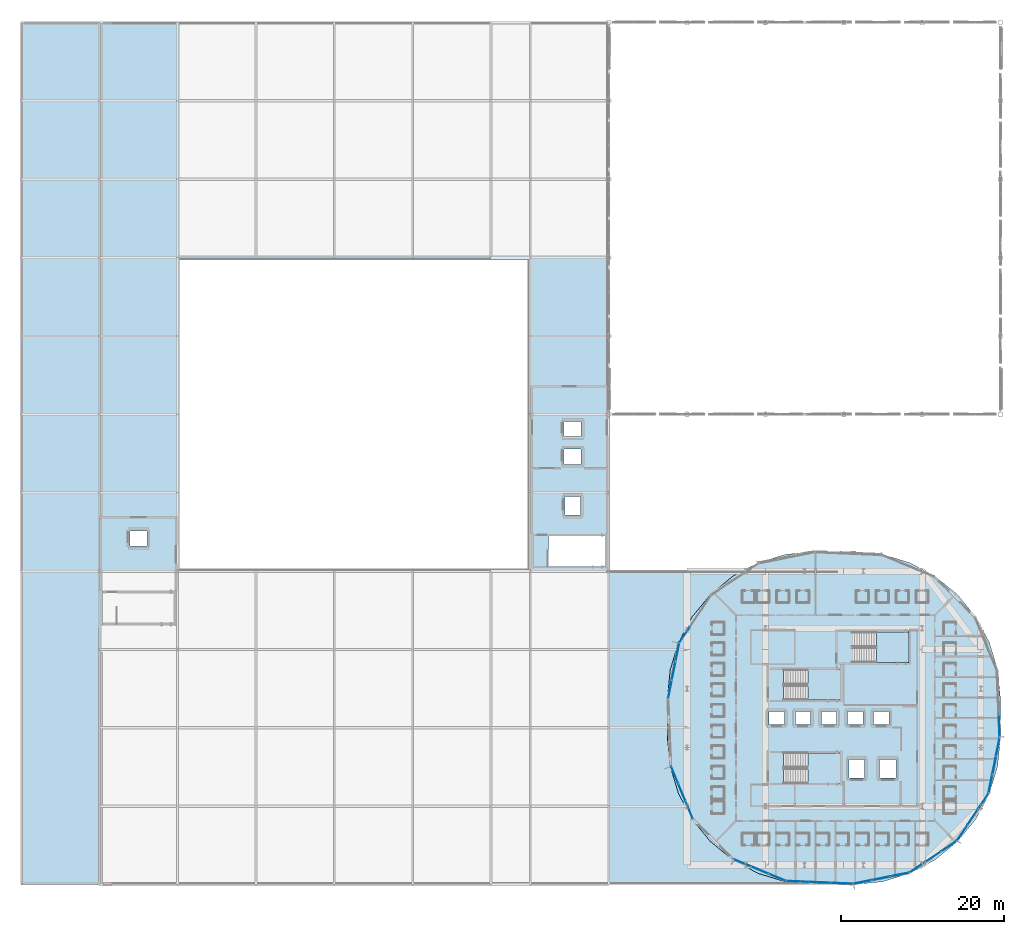
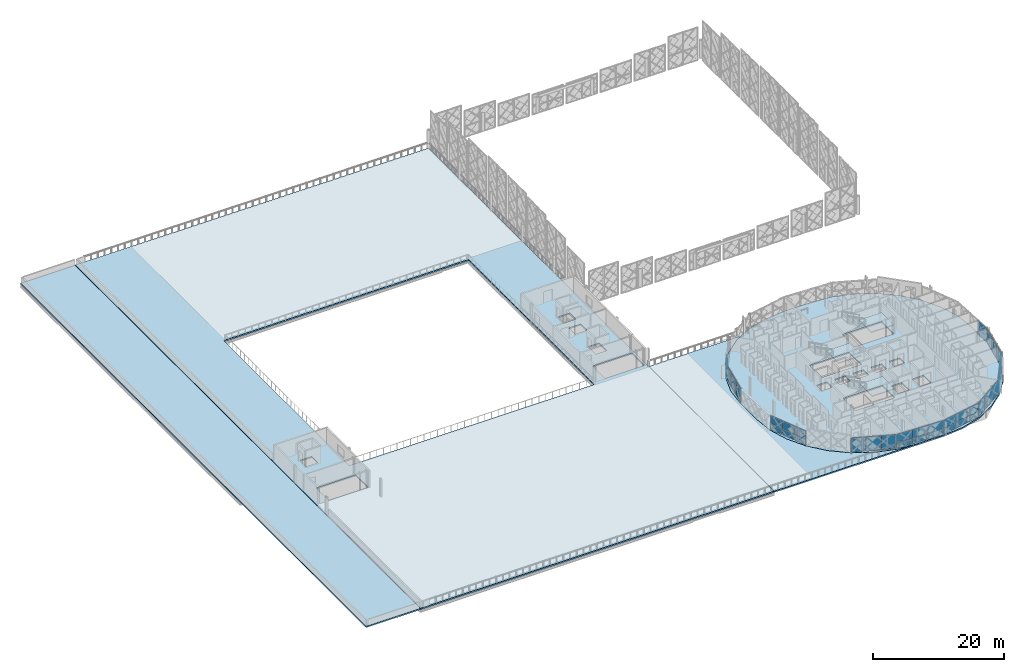
# One storey, part 24 of 53: 40 plates, 7 slabs, 13 elements without a shape of their own.
"""IFC4 building model written with IfcOpenShell, lengths in metres."""

import ifcopenshell
import ifcopenshell.guid

model = None  # the IFC model being written
_history = None  # IfcOwnerHistory: only IFC2X3 demands one
_inside = {}  # id of a spatial element -> (the spatial element, [elements in it])
_under = {}  # id of a project, library or spatial element -> (it, [spatial elements below it])
_declared = {}  # id of a project -> (the project, [libraries it declares])
_typed = {}  # id of a type object -> (the type object, [elements of that type])
_made_of = {}  # id of a material, layer set ... -> (it, [elements and type objects made of it])


def new_model(schema):
    """Start an empty IFC model of exactly this schema.

    Asked for "IFC4X3", IfcOpenShell would pick the latest addendum, in which some entities
    have other attributes; the version numbers below select the first issue.
    IFC2X3 requires an IfcOwnerHistory on every rooted entity: one is made here for all.
    """
    global model, _history
    if schema == "IFC4X3":
        model = ifcopenshell.file(schema_version=(4, 3, 0, 0))
    else:
        model = ifcopenshell.file(schema=schema)
    _inside.clear()
    _under.clear()
    _declared.clear()
    _typed.clear()
    _made_of.clear()
    _history = None
    if model.schema == "IFC2X3":
        org = make("IfcOrganization", Name="unknown")
        user = make(
            "IfcPersonAndOrganization",
            ThePerson=make("IfcPerson", FamilyName="unknown"),
            TheOrganization=org,
        )
        app = make(
            "IfcApplication",
            ApplicationDeveloper=org,
            Version="unknown",
            ApplicationFullName="unknown",
            ApplicationIdentifier="unknown",
        )
        _history = make(
            "IfcOwnerHistory",
            OwningUser=user,
            OwningApplication=app,
            ChangeAction="ADDED",
            CreationDate=0,
        )
    return model


def make(cls, **values):
    """One entity of the class cls with the attributes given. An attribute that is None is left unset."""
    return model.create_entity(
        cls, **{name: value for name, value in values.items() if value is not None}
    )


def rooted(cls, **values):
    """An entity with a GlobalId (a new one), such as an element, a storey or a relation."""
    return make(cls, GlobalId=ifcopenshell.guid.new(), OwnerHistory=_history, **values)


def si_unit(unit_type, name, prefix=None):
    """IfcSIUnit, for example si_unit("LENGTHUNIT", "METRE", prefix="MILLI")."""
    return make("IfcSIUnit", UnitType=unit_type, Prefix=prefix, Name=name)


def assignment(units):
    """IfcUnitAssignment: the units of a project."""
    return None if units is None else make("IfcUnitAssignment", Units=units)


def point(xyz):
    """IfcCartesianPoint."""
    return None if xyz is None else make("IfcCartesianPoint", Coordinates=xyz)


def direction(xyz):
    """IfcDirection."""
    return None if xyz is None else make("IfcDirection", DirectionRatios=xyz)


def frame(location, z_axis=None, x_axis=None):
    """IfcAxis2Placement3D, a coordinate frame: its origin and axes. An axis left out is left unset."""
    return make(
        "IfcAxis2Placement3D",
        Location=point(location),
        Axis=direction(z_axis),
        RefDirection=direction(x_axis),
    )


def frame_2d(location, x_axis=None):
    """IfcAxis2Placement2D, a coordinate frame in the plane: its origin and x axis."""
    return make(
        "IfcAxis2Placement2D", Location=point(location), RefDirection=direction(x_axis)
    )


def origin():
    """The frame at (0, 0, 0) with its axes left unset."""
    return frame((0.0, 0.0, 0.0))


def origin_2d():
    """The frame at (0, 0) in the plane with its x axis left unset."""
    return frame_2d((0.0, 0.0))


def place(relative_to, where):
    """IfcLocalPlacement: puts the frame where relative to a parent placement (None: the world)."""
    return make(
        "IfcLocalPlacement", PlacementRelTo=relative_to, RelativePlacement=where
    )


def context(
    kind, dimensions, precision=None, world=None, true_north=None, identifier=None
):
    """IfcGeometricRepresentationContext, for example the 3D "Model" context."""
    return make(
        "IfcGeometricRepresentationContext",
        ContextIdentifier=identifier,
        ContextType=kind,
        CoordinateSpaceDimension=dimensions,
        Precision=precision,
        WorldCoordinateSystem=world,
        TrueNorth=true_north,
    )


def subcontext(parent, identifier, kind, view, scale=None):
    """IfcGeometricRepresentationSubContext, for example "Body" below "Model"."""
    return make(
        "IfcGeometricRepresentationSubContext",
        ContextIdentifier=identifier,
        ContextType=kind,
        ParentContext=parent,
        TargetScale=scale,
        TargetView=view,
    )


def project(units=None, contexts=None):
    """IfcProject with its units and contexts."""
    return rooted(
        "IfcProject",
        Name="project",
        RepresentationContexts=contexts,
        UnitsInContext=assignment(units),
    )


def spatial(cls, under=None, at=None, **own):
    """A site, building, storey or space (cls), placed at a placement, below another one or the project."""
    s = rooted(cls, ObjectPlacement=at, **own)
    if under is not None:
        _under.setdefault(under.id(), (under, []))[1].append(s)
    return s


def polyline(points):
    """IfcPolyline through the points."""
    return make("IfcPolyline", Points=[point(p) for p in points])


def profile(cls, at=None, kind="AREA", **sizes):
    """A parametric profile (cls). Its sizes go by their IFC names, for example OverallWidth=200.0."""
    return make(cls, ProfileType=kind, Position=at, **sizes)


def rectangle(**sizes):
    """IfcRectangleProfileDef."""
    return profile("IfcRectangleProfileDef", **sizes)


def outline(outer, holes=None, kind="AREA"):
    """IfcArbitraryClosedProfileDef: a profile drawn as a closed curve; with holes, ...WithVoids."""
    if holes is None:
        return make("IfcArbitraryClosedProfileDef", ProfileType=kind, OuterCurve=outer)
    return make(
        "IfcArbitraryProfileDefWithVoids",
        ProfileType=kind,
        OuterCurve=outer,
        InnerCurves=holes,
    )


def extrude(swept, where, along, depth):
    """IfcExtrudedAreaSolid: the profile swept, set in the frame where, extruded along a direction by depth."""
    return make(
        "IfcExtrudedAreaSolid",
        SweptArea=swept,
        Position=where,
        ExtrudedDirection=direction(along),
        Depth=depth,
    )


def shape(context_of_items, identifier, shape_type, items):
    """IfcShapeRepresentation: the items that make up one representation, for example the "Body"."""
    return make(
        "IfcShapeRepresentation",
        ContextOfItems=context_of_items,
        RepresentationIdentifier=identifier,
        RepresentationType=shape_type,
        Items=items,
    )


def material(Name=None, Category=None):
    """IfcMaterial."""
    return make("IfcMaterial", Name=Name, Category=Category)


def layer(
    of_material, thickness, ventilated=None, Name=None, Category=None, Priority=None
):
    """IfcMaterialLayer: one layer of a wall or slab, of a material (None: an air gap)."""
    return make(
        "IfcMaterialLayer",
        Material=of_material,
        LayerThickness=thickness,
        IsVentilated=ventilated,
        Name=Name,
        Category=Category,
        Priority=Priority,
    )


def layer_set(layers, Name=None):
    """IfcMaterialLayerSet."""
    return make("IfcMaterialLayerSet", MaterialLayers=layers, LayerSetName=Name)


def made_of(thing, what):
    """Note that an element or type object is made of a material, layer set ...; save() writes the relation."""
    if what is not None:
        _made_of.setdefault(what.id(), (what, []))[1].append(thing)
    return thing


def type_object(cls, material=None, **own):
    """A type object (cls), such as IfcWallType, which elements share."""
    return made_of(rooted(cls, **own), material)


def element(
    cls,
    number,
    at=None,
    inside=None,
    cuts=None,
    type_object=None,
    material=None,
    context=None,
    identifier="Body",
    shape_type=None,
    held_by="IfcProductDefinitionShape",
    body=None,
    shapes=None,
    **own,
):
    """One element of the class cls, such as IfcWall. Its Tag is "e" and its number.

    at: its placement. inside: the storey or other place that contains it. cuts: it is an
    opening in that element (IfcRelVoidsElement). A single representation is given by context,
    identifier, shape_type and body (its items); several are given by shapes. held_by: the class
    of the entity that holds the representations. save() writes the other relations.
    """
    e = rooted(cls, Tag="e%d" % number, ObjectPlacement=at, **own)
    if body is not None:
        shapes = [shape(context, identifier, shape_type, body)]
    if shapes is not None:
        e.Representation = make(held_by, Representations=shapes)
    if inside is not None:
        _inside.setdefault(inside.id(), (inside, []))[1].append(e)
    if cuts is not None:
        rooted(
            "IfcRelVoidsElement", RelatingBuildingElement=cuts, RelatedOpeningElement=e
        )
    if type_object is not None:
        _typed.setdefault(type_object.id(), (type_object, []))[1].append(e)
    return made_of(e, material)


def aggregate(whole, parts):
    """IfcRelAggregates: a whole, such as a stair, and the parts it consists of."""
    return rooted("IfcRelAggregates", RelatingObject=whole, RelatedObjects=parts)


def save(model, path):
    """Write the relations noted so far, then the file.

    IfcRelAggregates (storeys below a building ...), IfcRelContainedInSpatialStructure (elements
    in a storey), IfcRelDefinesByType, IfcRelAssociatesMaterial and IfcRelDeclares: one each for
    every whole, place, type object, material and project.
    """
    for whole, parts in _under.values():
        aggregate(whole, parts)
    for where, things in _inside.values():
        rooted(
            "IfcRelContainedInSpatialStructure",
            RelatedElements=things,
            RelatingStructure=where,
        )
    for kind, things in _typed.values():
        rooted("IfcRelDefinesByType", RelatedObjects=things, RelatingType=kind)
    for what, things in _made_of.values():
        rooted("IfcRelAssociatesMaterial", RelatedObjects=things, RelatingMaterial=what)
    for by, libraries in _declared.values():
        rooted("IfcRelDeclares", RelatingContext=by, RelatedDefinitions=libraries)
    model.write(path)


model = new_model("IFC4")

# Units and contexts
model_context = context("Model", 3, precision=1e-05, world=origin(), true_north=direction((0.0, 1.0)))
body_context = subcontext(model_context, "Body", "Model", "MODEL_VIEW")
ifc_project = project(units=[si_unit("LENGTHUNIT", "METRE"), si_unit("AREAUNIT", "SQUARE_METRE"), si_unit("VOLUMEUNIT", "CUBIC_METRE"), si_unit("PLANEANGLEUNIT", "RADIAN"), si_unit("MASSUNIT", "GRAM", prefix="KILO")], contexts=[model_context])

# Site, building, storey
site_placement = place(None, origin())
site = spatial("IfcSite", under=ifc_project, at=site_placement, CompositionType="ELEMENT")
building_placement = place(site_placement, origin())
building = spatial("IfcBuilding", under=site, at=building_placement, Name="Zevrakil Square Congress Hotel", CompositionType="ELEMENT")
storey_placement = place(building_placement, frame((0.0, 0.0, 14.699951171875)))
storey = spatial("IfcBuildingStorey", under=building, at=storey_placement, Name="L04", CompositionType="ELEMENT", Elevation=14.699951171875)

# Curtain wall, plates
ifc_material_1 = material(Name="Aluminium Anodised Bronze", Category="aluminium")
ifc_layer_1 = layer(ifc_material_1, 0.179931640625)
ifc_layer_set_1 = layer_set([ifc_layer_1], Name="Aluminium Anodised Bronze")
curtain_wall_type_1 = type_object("IfcCurtainWallType", Name="CW-L04-720", PredefinedType="USERDEFINED", material=ifc_layer_set_1)
curtain_wall_1_placement = place(storey_placement, origin())
curtain_wall_1 = element("IfcCurtainWall", 1, at=curtain_wall_1_placement, inside=storey, type_object=curtain_wall_type_1, Name="L04 diamond curtain wall CW-L04-0168", ObjectType="GLAZED CURTAIN WALL", PredefinedType="USERDEFINED")
ifc_material_2 = material(Name="Low-E Solar Control Double Glazing", Category="glass")
ifc_layer_2 = layer(ifc_material_2, 0.028076171875)
ifc_layer_set_2 = layer_set([ifc_layer_2], Name="Low-E Solar Control Double Glazing")
plate_type_1 = type_object("IfcPlateType", Name="CWP-GLAZ-28", PredefinedType="CURTAIN_PANEL", material=ifc_layer_set_2)
plate_1_placement = place(storey_placement, frame((148.71484375, 7.520751953125, 1.18505859375), z_axis=(0.0, 0.0, 1.0), x_axis=(0.980786557708, 0.195083900459, 0.0)))
plate_1 = element("IfcPlate", 2, at=plate_1_placement, type_object=plate_type_1, Name="CW-46 panel 1.2", PredefinedType="CURTAIN_PANEL", context=body_context, shape_type="SweptSolid", body=[
    extrude(rectangle(XDim=2.2451171875, YDim=0.028076171875, at=origin_2d()), origin(), (0.0, 0.0, 1.0), 1.5048828125),
])
plate_2_placement = place(storey_placement, frame((150.990478515625, 7.973388671875, 1.18505859375), z_axis=(0.0, 0.0, 1.0), x_axis=(0.980786557708, 0.195083900459, 0.0)))
plate_2 = element("IfcPlate", 3, at=plate_2_placement, type_object=plate_type_1, Name="CW-46 panel 2.2", PredefinedType="CURTAIN_PANEL", context=body_context, shape_type="SweptSolid", body=[
    extrude(rectangle(XDim=2.275146484375, YDim=0.028076171875, at=origin_2d()), origin(), (0.0, 0.0, 1.0), 1.5048828125),
])

curtain_wall_2_placement = place(storey_placement, origin())
curtain_wall_2 = element("IfcCurtainWall", 4, at=curtain_wall_2_placement, inside=storey, type_object=curtain_wall_type_1, Name="L04 diamond curtain wall CW-L04-0169", ObjectType="GLAZED CURTAIN WALL", PredefinedType="USERDEFINED")
plate_3_placement = place(storey_placement, frame((155.409423828125, 9.313720703125, 0.06005859375), z_axis=(0.0, 0.0, 1.0), x_axis=(0.831465693332, 0.555576098128, 0.0)))
plate_3 = element("IfcPlate", 5, at=plate_3_placement, type_object=plate_type_1, Name="CW-46 panel 1.1", PredefinedType="CURTAIN_PANEL", context=body_context, shape_type="SweptSolid", body=[
    extrude(rectangle(XDim=2.2451171875, YDim=0.028076171875, at=origin_2d()), origin(), (0.0, 0.0, 1.0), 2.639892578125),
])
plate_4_placement = place(storey_placement, frame((159.267822265625, 11.891845703125, 0.06005859375), z_axis=(0.0, 0.0, 1.0), x_axis=(0.831465693332, 0.555576098128, 0.0)))
plate_4 = element("IfcPlate", 6, at=plate_4_placement, type_object=plate_type_1, Name="CW-46 panel 3.1", PredefinedType="CURTAIN_PANEL", context=body_context, shape_type="SweptSolid", body=[
    extrude(rectangle(XDim=2.2451171875, YDim=0.028076171875, at=origin_2d()), origin(), (0.0, 0.0, 1.0), 2.639892578125),
])

curtain_wall_3_placement = place(storey_placement, origin())
curtain_wall_3 = element("IfcCurtainWall", 7, at=curtain_wall_3_placement, inside=storey, type_object=curtain_wall_type_1, Name="L04 diamond curtain wall CW-L04-0170", ObjectType="GLAZED CURTAIN WALL", PredefinedType="USERDEFINED")
plate_5_placement = place(storey_placement, frame((160.908203125, 13.5322265625, 1.189208984375), z_axis=(0.0, 0.0, 1.0), x_axis=(0.555576098128, 0.831465693332, 0.0)))
plate_5 = element("IfcPlate", 8, at=plate_5_placement, type_object=plate_type_1, Name="CW-46 panel 1.2", PredefinedType="CURTAIN_PANEL", context=body_context, shape_type="SweptSolid", body=[
    extrude(rectangle(XDim=2.2451171875, YDim=0.028076171875, at=origin_2d()), origin(), (0.0, 0.0, 1.0), 1.5107421875),
])
plate_6_placement = place(storey_placement, frame((163.486328125, 17.390625, 0.06005859375), z_axis=(0.0, 0.0, 1.0), x_axis=(0.555576098128, 0.831465693332, 0.0)))
plate_6 = element("IfcPlate", 9, at=plate_6_placement, type_object=plate_type_1, Name="CW-46 panel 3.1", PredefinedType="CURTAIN_PANEL", context=body_context, shape_type="SweptSolid", body=[
    extrude(rectangle(XDim=2.2451171875, YDim=0.028076171875, at=origin_2d()), origin(), (0.0, 0.0, 1.0), 1.069091796875),
])

# Curtain wall, plate
curtain_wall_4_placement = place(storey_placement, origin())
curtain_wall_4 = element("IfcCurtainWall", 10, at=curtain_wall_4_placement, inside=storey, type_object=curtain_wall_type_1, Name="L04 diamond curtain wall CW-L04-0171", ObjectType="GLAZED CURTAIN WALL", PredefinedType="USERDEFINED")
plate_7_placement = place(storey_placement, frame((164.3740234375, 19.53369140625, 0.06005859375), z_axis=(0.0, 0.0, 1.0), x_axis=(0.195083900459, 0.980786557708, 0.0)))
plate_7 = element("IfcPlate", 11, at=plate_7_placement, type_object=plate_type_1, Name="CW-46 panel 1.1", PredefinedType="CURTAIN_PANEL", context=body_context, shape_type="SweptSolid", body=[
    extrude(rectangle(XDim=2.2451171875, YDim=0.028076171875, at=origin_2d()), origin(), (0.0, 0.0, 1.0), 2.6298828125),
])

# Curtain wall, plates
curtain_wall_5_placement = place(storey_placement, origin())
curtain_wall_5 = element("IfcCurtainWall", 12, at=curtain_wall_5_placement, inside=storey, type_object=curtain_wall_type_1, Name="L04 diamond curtain wall CW-L04-0179", ObjectType="GLAZED CURTAIN WALL", PredefinedType="USERDEFINED")
plate_8_placement = place(storey_placement, frame((126.02587890625, 35.666259765625, 0.06005859375), z_axis=(0.0, 0.0, 1.0), x_axis=(-0.195083900459, -0.980786557708, 0.0)))
plate_8 = element("IfcPlate", 13, at=plate_8_placement, type_object=plate_type_1, Name="CW-46 panel 1.1", PredefinedType="CURTAIN_PANEL", context=body_context, shape_type="SweptSolid", body=[
    extrude(rectangle(XDim=2.2451171875, YDim=0.028076171875, at=origin_2d()), origin(), (0.0, 0.0, 1.0), 2.6298828125),
])
plate_9_placement = place(storey_placement, frame((125.12060546875, 31.114990234375, 0.06005859375), z_axis=(0.0, 0.0, 1.0), x_axis=(-0.195083900459, -0.980786557708, 0.0)))
plate_9 = element("IfcPlate", 14, at=plate_9_placement, type_object=plate_type_1, Name="CW-46 panel 3.1", PredefinedType="CURTAIN_PANEL", context=body_context, shape_type="SweptSolid", body=[
    extrude(rectangle(XDim=2.2451171875, YDim=0.028076171875, at=origin_2d()), origin(), (0.0, 0.0, 1.0), 2.6298828125),
])

curtain_wall_6_placement = place(storey_placement, origin())
curtain_wall_6 = element("IfcCurtainWall", 15, at=curtain_wall_6_placement, inside=storey, type_object=curtain_wall_type_1, Name="L04 diamond curtain wall CW-L04-0180", ObjectType="GLAZED CURTAIN WALL", PredefinedType="USERDEFINED")
plate_10_placement = place(storey_placement, frame((125.6875, 20.649658203125, 1.189208984375), z_axis=(0.0, 0.0, 1.0), x_axis=(0.382683763454, -0.92387939537, 0.0)))
plate_10 = element("IfcPlate", 16, at=plate_10_placement, type_object=plate_type_1, Name="CW-46 panel 1.2", PredefinedType="CURTAIN_PANEL", context=body_context, shape_type="SweptSolid", body=[
    extrude(rectangle(XDim=2.245361328125, YDim=0.028076171875, at=origin_2d()), origin(), (0.0, 0.0, 1.0), 1.5107421875),
])
plate_11_placement = place(storey_placement, frame((127.46337890625, 16.3623046875, 0.06005859375), z_axis=(0.0, 0.0, 1.0), x_axis=(0.382683763454, -0.92387939537, 0.0)))
plate_11 = element("IfcPlate", 17, at=plate_11_placement, type_object=plate_type_1, Name="CW-46 panel 3.1", PredefinedType="CURTAIN_PANEL", context=body_context, shape_type="SweptSolid", body=[
    extrude(rectangle(XDim=2.245361328125, YDim=0.028076171875, at=origin_2d()), origin(), (0.0, 0.0, 1.0), 1.069091796875),
])

# Curtain wall, plate
curtain_wall_7_placement = place(storey_placement, origin())
curtain_wall_7 = element("IfcCurtainWall", 18, at=curtain_wall_7_placement, inside=storey, type_object=curtain_wall_type_1, Name="L04 diamond curtain wall CW-L04-0181", ObjectType="GLAZED CURTAIN WALL", PredefinedType="USERDEFINED")
plate_12_placement = place(storey_placement, frame((133.96240234375, 9.863525390625, 0.06005859375), z_axis=(0.0, 0.0, 1.0), x_axis=(0.92387939537, -0.382683763454, 0.0)))
plate_12 = element("IfcPlate", 19, at=plate_12_placement, type_object=plate_type_1, Name="CW-46 panel 1.1", PredefinedType="CURTAIN_PANEL", context=body_context, shape_type="SweptSolid", body=[
    extrude(rectangle(XDim=2.245361328125, YDim=0.028076171875, at=origin_2d()), origin(), (0.0, 0.0, 1.0), 2.639892578125),
])

# Curtain wall, plates
ifc_material_3 = material(Name="Aluminium Anodised Bronze", Category="aluminium")
ifc_layer_3 = layer(ifc_material_3, 0.179931640625)
ifc_layer_set_3 = layer_set([ifc_layer_3], Name="Aluminium Anodised Bronze")
curtain_wall_type_2 = type_object("IfcCurtainWallType", Name="CW-L04-840", PredefinedType="USERDEFINED", material=ifc_layer_set_3)
curtain_wall_8_placement = place(storey_placement, origin())
curtain_wall_8 = element("IfcCurtainWall", 20, at=curtain_wall_8_placement, inside=storey, type_object=curtain_wall_type_2, Name="L04 diamond curtain wall CW-L04-0182", ObjectType="GLAZED CURTAIN WALL", PredefinedType="USERDEFINED")
plate_13_placement = place(storey_placement, frame((143.448486328125, 7.46240234375, 0.06005859375), z_axis=(0.0, 0.0, 1.0), x_axis=(0.999118846876, -0.041970582763, 0.0)))
plate_13 = element("IfcPlate", 21, at=plate_13_placement, type_object=plate_type_1, Name="CW-47 panel 2.1", PredefinedType="CURTAIN_PANEL", context=body_context, shape_type="SweptSolid", body=[
    extrude(rectangle(XDim=2.679931640625, YDim=0.028076171875, at=origin_2d()), origin(), (0.0, 0.0, 1.0), 1.06494140625),
])
plate_14_placement = place(storey_placement, frame((146.171142578125, 7.34814453125, 0.06005859375), z_axis=(0.0, 0.0, 1.0), x_axis=(0.999118846876, -0.041970582763, 0.0)))
plate_14 = element("IfcPlate", 22, at=plate_14_placement, type_object=plate_type_1, Name="CW-47 panel 3.1", PredefinedType="CURTAIN_PANEL", context=body_context, shape_type="SweptSolid", body=[
    extrude(rectangle(XDim=2.64990234375, YDim=0.028076171875, at=origin_2d()), origin(), (0.0, 0.0, 1.0), 1.06494140625),
])

# Plate
ifc_material_4 = material(Name="Basalt Grey Ribbed GRC Panel", Category="masonry")
ifc_layer_4 = layer(ifc_material_4, 0.0439453125)
ifc_layer_set_4 = layer_set([ifc_layer_4], Name="Basalt Grey Ribbed GRC Panel")
plate_type_2 = type_object("IfcPlateType", Name="CWP-GRCG-44", PredefinedType="CURTAIN_PANEL", material=ifc_layer_set_4)
plate_15_placement = place(storey_placement, frame((148.71484375, 7.520751953125, 0.06005859375), z_axis=(0.0, 0.0, 1.0), x_axis=(0.980786557708, 0.195083900459, 0.0)))
plate_15 = element("IfcPlate", 23, at=plate_15_placement, type_object=plate_type_2, Name="CW-46 panel 1.1", PredefinedType="CURTAIN_PANEL", context=body_context, shape_type="SweptSolid", body=[
    extrude(rectangle(XDim=2.2451171875, YDim=0.028076171875, at=origin_2d()), origin(), (0.0, 0.0, 1.0), 1.06494140625),
])

plate_16_placement = place(storey_placement, frame((153.26611328125, 8.426025390625, 1.18505859375), z_axis=(0.0, 0.0, 1.0), x_axis=(0.980786557708, 0.195083900459, 0.0)))
plate_16 = element("IfcPlate", 24, at=plate_16_placement, type_object=plate_type_2, Name="CW-46 panel 3.2", PredefinedType="CURTAIN_PANEL", context=body_context, shape_type="SweptSolid", body=[
    extrude(rectangle(XDim=2.2451171875, YDim=0.028076171875, at=origin_2d()), origin(), (0.0, 0.0, 1.0), 1.5048828125),
])

plate_17_placement = place(storey_placement, frame((162.197265625, 15.46142578125, 1.189208984375), z_axis=(0.0, 0.0, 1.0), x_axis=(0.555576098128, 0.831465693332, 0.0)))
plate_17 = element("IfcPlate", 25, at=plate_17_placement, type_object=plate_type_2, Name="CW-46 panel 2.2", PredefinedType="CURTAIN_PANEL", context=body_context, shape_type="SweptSolid", body=[
    extrude(rectangle(XDim=2.275146484375, YDim=0.028076171875, at=origin_2d()), origin(), (0.0, 0.0, 1.0), 1.5107421875),
])

plate_18_placement = place(storey_placement, frame((165.279296875, 24.085205078125, 0.06005859375), z_axis=(0.0, 0.0, 1.0), x_axis=(0.195083900459, 0.980786557708, 0.0)))
plate_18 = element("IfcPlate", 26, at=plate_18_placement, type_object=plate_type_2, Name="CW-46 panel 3.1", PredefinedType="CURTAIN_PANEL", context=body_context, shape_type="SweptSolid", body=[
    extrude(rectangle(XDim=2.2451171875, YDim=0.028076171875, at=origin_2d()), origin(), (0.0, 0.0, 1.0), 2.6298828125),
])

# Curtain wall, plate
curtain_wall_9_placement = place(storey_placement, origin())
curtain_wall_9 = element("IfcCurtainWall", 27, at=curtain_wall_9_placement, inside=storey, type_object=curtain_wall_type_2, Name="L04 diamond curtain wall CW-L04-0172", ObjectType="GLAZED CURTAIN WALL", PredefinedType="USERDEFINED")
plate_19_placement = place(storey_placement, frame((165.451904296875, 26.62890625, 1.18505859375), z_axis=(0.0, 0.0, 1.0), x_axis=(-0.041970582763, 0.999118846876, 0.0)))
plate_19 = element("IfcPlate", 28, at=plate_19_placement, type_object=plate_type_2, Name="CW-47 panel 1.2", PredefinedType="CURTAIN_PANEL", context=body_context, shape_type="SweptSolid", body=[
    extrude(rectangle(XDim=2.64990234375, YDim=0.028076171875, at=origin_2d()), origin(), (0.0, 0.0, 1.0), 1.5048828125),
])

curtain_wall_10_placement = place(storey_placement, origin())
curtain_wall_10 = element("IfcCurtainWall", 29, at=curtain_wall_10_placement, inside=storey, type_object=curtain_wall_type_1, Name="L04 diamond curtain wall CW-L04-0178", ObjectType="GLAZED CURTAIN WALL", PredefinedType="USERDEFINED")
plate_20_placement = place(storey_placement, frame((126.913818359375, 37.809326171875, 1.189208984375), z_axis=(0.0, 0.0, 1.0), x_axis=(-0.555576098128, -0.831465693332, 0.0)))
plate_20 = element("IfcPlate", 30, at=plate_20_placement, type_object=plate_type_2, Name="CW-46 panel 3.2", PredefinedType="CURTAIN_PANEL", context=body_context, shape_type="SweptSolid", body=[
    extrude(rectangle(XDim=2.2451171875, YDim=0.028076171875, at=origin_2d()), origin(), (0.0, 0.0, 1.0), 1.5107421875),
])

# Plate
plate_21_placement = place(storey_placement, frame((126.575439453125, 18.505859375, 1.189208984375), z_axis=(0.0, 0.0, 1.0), x_axis=(0.382683763454, -0.92387939537, 0.0)))
plate_21 = element("IfcPlate", 31, at=plate_21_placement, type_object=plate_type_2, Name="CW-46 panel 2.2", PredefinedType="CURTAIN_PANEL", context=body_context, shape_type="SweptSolid", body=[
    extrude(rectangle(XDim=2.275146484375, YDim=0.028076171875, at=origin_2d()), origin(), (0.0, 0.0, 1.0), 1.5107421875),
])

plate_22_placement = place(storey_placement, frame((138.24951171875, 8.087646484375, 0.06005859375), z_axis=(0.0, 0.0, 1.0), x_axis=(0.92387939537, -0.382683763454, 0.0)))
plate_22 = element("IfcPlate", 32, at=plate_22_placement, type_object=plate_type_2, Name="CW-46 panel 3.1", PredefinedType="CURTAIN_PANEL", context=body_context, shape_type="SweptSolid", body=[
    extrude(rectangle(XDim=2.245361328125, YDim=0.028076171875, at=origin_2d()), origin(), (0.0, 0.0, 1.0), 2.639892578125),
])

plate_23_placement = place(storey_placement, frame((140.72607421875, 7.576904296875, 1.18505859375), z_axis=(0.0, 0.0, 1.0), x_axis=(0.999118846876, -0.041970582763, 0.0)))
plate_23 = element("IfcPlate", 33, at=plate_23_placement, type_object=plate_type_2, Name="CW-47 panel 1.2", PredefinedType="CURTAIN_PANEL", context=body_context, shape_type="SweptSolid", body=[
    extrude(rectangle(XDim=2.64990234375, YDim=0.028076171875, at=origin_2d()), origin(), (0.0, 0.0, 1.0), 1.5048828125),
])

ifc_material_5 = material(Name="White Ribbed Highland GRC Panel", Category="concrete")
ifc_layer_5 = layer(ifc_material_5, 0.0400390625)
ifc_layer_set_5 = layer_set([ifc_layer_5], Name="White Ribbed Highland GRC Panel")
plate_type_3 = type_object("IfcPlateType", Name="CWP-GRCW-40", PredefinedType="CURTAIN_PANEL", material=ifc_layer_set_5)
plate_24_placement = place(storey_placement, frame((150.990478515625, 7.973388671875, 0.06005859375), z_axis=(0.0, 0.0, 1.0), x_axis=(0.980786557708, 0.195083900459, 0.0)))
plate_24 = element("IfcPlate", 34, at=plate_24_placement, type_object=plate_type_3, Name="CW-46 panel 2.1", PredefinedType="CURTAIN_PANEL", context=body_context, shape_type="SweptSolid", body=[
    extrude(rectangle(XDim=2.275146484375, YDim=0.028076171875, at=origin_2d()), origin(), (0.0, 0.0, 1.0), 1.06494140625),
])

plate_25_placement = place(storey_placement, frame((153.26611328125, 8.426025390625, 0.06005859375), z_axis=(0.0, 0.0, 1.0), x_axis=(0.980786557708, 0.195083900459, 0.0)))
plate_25 = element("IfcPlate", 35, at=plate_25_placement, type_object=plate_type_3, Name="CW-46 panel 3.1", PredefinedType="CURTAIN_PANEL", context=body_context, shape_type="SweptSolid", body=[
    extrude(rectangle(XDim=2.2451171875, YDim=0.028076171875, at=origin_2d()), origin(), (0.0, 0.0, 1.0), 1.06494140625),
])

aggregate(curtain_wall_1, [plate_15, plate_1, plate_24, plate_2, plate_25, plate_16])

plate_26_placement = place(storey_placement, frame((157.338623046875, 10.602783203125, 0.06005859375), z_axis=(0.0, 0.0, 1.0), x_axis=(0.831465693332, 0.555576098128, 0.0)))
plate_26 = element("IfcPlate", 36, at=plate_26_placement, type_object=plate_type_3, Name="CW-46 panel 2.1", PredefinedType="CURTAIN_PANEL", context=body_context, shape_type="SweptSolid", body=[
    extrude(rectangle(XDim=2.275146484375, YDim=0.028076171875, at=origin_2d()), origin(), (0.0, 0.0, 1.0), 2.639892578125),
])

aggregate(curtain_wall_2, [plate_3, plate_26, plate_4])

plate_27_placement = place(storey_placement, frame((160.908203125, 13.5322265625, 0.06005859375), z_axis=(0.0, 0.0, 1.0), x_axis=(0.555576098128, 0.831465693332, 0.0)))
plate_27 = element("IfcPlate", 37, at=plate_27_placement, type_object=plate_type_3, Name="CW-46 panel 1.1", PredefinedType="CURTAIN_PANEL", context=body_context, shape_type="SweptSolid", body=[
    extrude(rectangle(XDim=2.2451171875, YDim=0.028076171875, at=origin_2d()), origin(), (0.0, 0.0, 1.0), 1.069091796875),
])

plate_28_placement = place(storey_placement, frame((162.197265625, 15.46142578125, 0.06005859375), z_axis=(0.0, 0.0, 1.0), x_axis=(0.555576098128, 0.831465693332, 0.0)))
plate_28 = element("IfcPlate", 38, at=plate_28_placement, type_object=plate_type_3, Name="CW-46 panel 2.1", PredefinedType="CURTAIN_PANEL", context=body_context, shape_type="SweptSolid", body=[
    extrude(rectangle(XDim=2.275146484375, YDim=0.028076171875, at=origin_2d()), origin(), (0.0, 0.0, 1.0), 1.069091796875),
])

plate_29_placement = place(storey_placement, frame((163.486328125, 17.390625, 1.189208984375), z_axis=(0.0, 0.0, 1.0), x_axis=(0.555576098128, 0.831465693332, 0.0)))
plate_29 = element("IfcPlate", 39, at=plate_29_placement, type_object=plate_type_3, Name="CW-46 panel 3.2", PredefinedType="CURTAIN_PANEL", context=body_context, shape_type="SweptSolid", body=[
    extrude(rectangle(XDim=2.2451171875, YDim=0.028076171875, at=origin_2d()), origin(), (0.0, 0.0, 1.0), 1.5107421875),
])

aggregate(curtain_wall_3, [plate_27, plate_5, plate_28, plate_17, plate_6, plate_29])

plate_30_placement = place(storey_placement, frame((164.82666015625, 21.8095703125, 0.06005859375), z_axis=(0.0, 0.0, 1.0), x_axis=(0.195083900459, 0.980786557708, 0.0)))
plate_30 = element("IfcPlate", 40, at=plate_30_placement, type_object=plate_type_3, Name="CW-46 panel 2.1", PredefinedType="CURTAIN_PANEL", context=body_context, shape_type="SweptSolid", body=[
    extrude(rectangle(XDim=2.275146484375, YDim=0.028076171875, at=origin_2d()), origin(), (0.0, 0.0, 1.0), 2.6298828125),
])

aggregate(curtain_wall_4, [plate_7, plate_30, plate_18])

plate_31_placement = place(storey_placement, frame((165.451904296875, 26.62890625, 0.06005859375), z_axis=(0.0, 0.0, 1.0), x_axis=(-0.041970582763, 0.999118846876, 0.0)))
plate_31 = element("IfcPlate", 41, at=plate_31_placement, type_object=plate_type_3, Name="CW-47 panel 1.1", PredefinedType="CURTAIN_PANEL", context=body_context, shape_type="SweptSolid", body=[
    extrude(rectangle(XDim=2.64990234375, YDim=0.028076171875, at=origin_2d()), origin(), (0.0, 0.0, 1.0), 1.06494140625),
])

aggregate(curtain_wall_9, [plate_31, plate_19])

plate_32_placement = place(storey_placement, frame((126.913818359375, 37.809326171875, 0.06005859375), z_axis=(0.0, 0.0, 1.0), x_axis=(-0.555576098128, -0.831465693332, 0.0)))
plate_32 = element("IfcPlate", 42, at=plate_32_placement, type_object=plate_type_3, Name="CW-46 panel 3.1", PredefinedType="CURTAIN_PANEL", context=body_context, shape_type="SweptSolid", body=[
    extrude(rectangle(XDim=2.2451171875, YDim=0.028076171875, at=origin_2d()), origin(), (0.0, 0.0, 1.0), 1.069091796875),
])

aggregate(curtain_wall_10, [plate_32, plate_20])

plate_33_placement = place(storey_placement, frame((125.5732421875, 33.390625, 0.06005859375), z_axis=(0.0, 0.0, 1.0), x_axis=(-0.195083900459, -0.980786557708, 0.0)))
plate_33 = element("IfcPlate", 43, at=plate_33_placement, type_object=plate_type_3, Name="CW-46 panel 2.1", PredefinedType="CURTAIN_PANEL", context=body_context, shape_type="SweptSolid", body=[
    extrude(rectangle(XDim=2.275146484375, YDim=0.028076171875, at=origin_2d()), origin(), (0.0, 0.0, 1.0), 2.6298828125),
])

aggregate(curtain_wall_5, [plate_8, plate_33, plate_9])

plate_34_placement = place(storey_placement, frame((125.6875, 20.649658203125, 0.06005859375), z_axis=(0.0, 0.0, 1.0), x_axis=(0.382683763454, -0.92387939537, 0.0)))
plate_34 = element("IfcPlate", 44, at=plate_34_placement, type_object=plate_type_3, Name="CW-46 panel 1.1", PredefinedType="CURTAIN_PANEL", context=body_context, shape_type="SweptSolid", body=[
    extrude(rectangle(XDim=2.245361328125, YDim=0.028076171875, at=origin_2d()), origin(), (0.0, 0.0, 1.0), 1.069091796875),
])

plate_35_placement = place(storey_placement, frame((126.575439453125, 18.505859375, 0.06005859375), z_axis=(0.0, 0.0, 1.0), x_axis=(0.382683763454, -0.92387939537, 0.0)))
plate_35 = element("IfcPlate", 45, at=plate_35_placement, type_object=plate_type_3, Name="CW-46 panel 2.1", PredefinedType="CURTAIN_PANEL", context=body_context, shape_type="SweptSolid", body=[
    extrude(rectangle(XDim=2.275146484375, YDim=0.028076171875, at=origin_2d()), origin(), (0.0, 0.0, 1.0), 1.069091796875),
])

plate_36_placement = place(storey_placement, frame((127.46337890625, 16.3623046875, 1.189208984375), z_axis=(0.0, 0.0, 1.0), x_axis=(0.382683763454, -0.92387939537, 0.0)))
plate_36 = element("IfcPlate", 46, at=plate_36_placement, type_object=plate_type_3, Name="CW-46 panel 3.2", PredefinedType="CURTAIN_PANEL", context=body_context, shape_type="SweptSolid", body=[
    extrude(rectangle(XDim=2.245361328125, YDim=0.028076171875, at=origin_2d()), origin(), (0.0, 0.0, 1.0), 1.5107421875),
])

aggregate(curtain_wall_6, [plate_34, plate_10, plate_35, plate_21, plate_11, plate_36])

plate_37_placement = place(storey_placement, frame((136.10595703125, 8.9755859375, 0.06005859375), z_axis=(0.0, 0.0, 1.0), x_axis=(0.92387939537, -0.382683763454, 0.0)))
plate_37 = element("IfcPlate", 47, at=plate_37_placement, type_object=plate_type_3, Name="CW-46 panel 2.1", PredefinedType="CURTAIN_PANEL", context=body_context, shape_type="SweptSolid", body=[
    extrude(rectangle(XDim=2.275146484375, YDim=0.028076171875, at=origin_2d()), origin(), (0.0, 0.0, 1.0), 2.639892578125),
])

aggregate(curtain_wall_7, [plate_12, plate_37, plate_22])

plate_38_placement = place(storey_placement, frame((140.72607421875, 7.576904296875, 0.06005859375), z_axis=(0.0, 0.0, 1.0), x_axis=(0.999118846876, -0.041970582763, 0.0)))
plate_38 = element("IfcPlate", 48, at=plate_38_placement, type_object=plate_type_3, Name="CW-47 panel 1.1", PredefinedType="CURTAIN_PANEL", context=body_context, shape_type="SweptSolid", body=[
    extrude(rectangle(XDim=2.64990234375, YDim=0.028076171875, at=origin_2d()), origin(), (0.0, 0.0, 1.0), 1.06494140625),
])

plate_39_placement = place(storey_placement, frame((143.448486328125, 7.46240234375, 1.18505859375), z_axis=(0.0, 0.0, 1.0), x_axis=(0.999118846876, -0.041970582763, 0.0)))
plate_39 = element("IfcPlate", 49, at=plate_39_placement, type_object=plate_type_3, Name="CW-47 panel 2.2", PredefinedType="CURTAIN_PANEL", context=body_context, shape_type="SweptSolid", body=[
    extrude(rectangle(XDim=2.679931640625, YDim=0.028076171875, at=origin_2d()), origin(), (0.0, 0.0, 1.0), 1.5048828125),
])

plate_40_placement = place(storey_placement, frame((146.171142578125, 7.34814453125, 1.18505859375), z_axis=(0.0, 0.0, 1.0), x_axis=(0.999118846876, -0.041970582763, 0.0)))
plate_40 = element("IfcPlate", 50, at=plate_40_placement, type_object=plate_type_3, Name="CW-47 panel 3.2", PredefinedType="CURTAIN_PANEL", context=body_context, shape_type="SweptSolid", body=[
    extrude(rectangle(XDim=2.64990234375, YDim=0.028076171875, at=origin_2d()), origin(), (0.0, 0.0, 1.0), 1.5048828125),
])

aggregate(curtain_wall_8, [plate_38, plate_23, plate_13, plate_39, plate_14, plate_40])

# Slabs
ifc_material_6 = material(Name="Concrete C35/45", Category="concrete")
ifc_layer_6 = layer(ifc_material_6, 0.260009765625)
ifc_layer_set_6 = layer_set([ifc_layer_6], Name="Concrete C35/45")
slab_type_1 = type_object("IfcSlabType", Name="SLB-L04-215", PredefinedType="FLOOR", material=ifc_layer_set_6)
slab_1_placement = place(storey_placement, frame((0.0, 0.0, -0.260009765625)))
element("IfcSlab", 51, at=slab_1_placement, inside=storey, type_object=slab_type_1, Name="L04 swelling hotel drum floor slab", PredefinedType="FLOOR", context=body_context, shape_type="SweptSolid", body=[
    extrude(outline(polyline([(147.60009765625, 7.199951171875), (151.111572265625, 7.5458984375), (154.48828125, 8.5703125), (157.600341796875, 10.2333984375), (160.327880859375, 12.47216796875), (162.56640625, 15.19970703125), (164.229736328125, 18.311767578125), (165.254150390625, 21.6884765625), (165.60009765625, 25.199951171875), (165.60009765625, 30.0), (165.254150390625, 33.51171875), (164.229736328125, 36.88818359375), (162.56640625, 40.000244140625), (160.327880859375, 42.727783203125), (157.600341796875, 44.966552734375), (154.48828125, 46.6298828125), (151.111572265625, 47.654052734375), (147.60009765625, 48.0), (142.800048828125, 48.0), (139.288330078125, 47.654052734375), (135.91162109375, 46.6298828125), (132.7998046875, 44.966552734375), (130.072021484375, 42.727783203125), (127.83349609375, 40.000244140625), (126.170166015625, 36.88818359375), (125.14599609375, 33.51171875), (124.800048828125, 30.0), (124.800048828125, 25.199951171875), (125.14599609375, 21.6884765625), (126.170166015625, 18.311767578125), (127.83349609375, 15.19970703125), (130.072021484375, 12.47216796875), (132.7998046875, 10.2333984375), (135.91162109375, 8.5703125), (139.288330078125, 7.5458984375), (142.800048828125, 7.199951171875), (147.60009765625, 7.199951171875)]), holes=[polyline([(139.044921875, 19.60009765625), (146.0, 19.60009765625), (146.0, 23.35009765625), (139.044921875, 23.35009765625), (139.044921875, 19.60009765625)]), polyline([(139.044921875, 29.800048828125), (146.0, 29.800048828125), (146.0, 33.550048828125), (139.044921875, 33.550048828125), (139.044921875, 29.800048828125)]), polyline([(147.445068359375, 34.39990234375), (154.39990234375, 34.39990234375), (154.39990234375, 38.14990234375), (147.445068359375, 38.14990234375), (147.445068359375, 34.39990234375)]), polyline([(137.260009765625, 26.81005859375), (139.139892578125, 26.81005859375), (139.139892578125, 28.389892578125), (137.260009765625, 28.389892578125), (137.260009765625, 26.81005859375)]), polyline([(140.4599609375, 26.81005859375), (142.340087890625, 26.81005859375), (142.340087890625, 28.389892578125), (140.4599609375, 28.389892578125), (140.4599609375, 26.81005859375)]), polyline([(143.659912109375, 26.81005859375), (145.5400390625, 26.81005859375), (145.5400390625, 28.389892578125), (143.659912109375, 28.389892578125), (143.659912109375, 26.81005859375)]), polyline([(146.860107421875, 26.81005859375), (148.739990234375, 26.81005859375), (148.739990234375, 28.389892578125), (146.860107421875, 28.389892578125), (146.860107421875, 26.81005859375)]), polyline([(150.06005859375, 26.81005859375), (151.93994140625, 26.81005859375), (151.93994140625, 28.389892578125), (150.06005859375, 28.389892578125), (150.06005859375, 26.81005859375)]), polyline([(147.06005859375, 20.260009765625), (148.93994140625, 20.260009765625), (148.93994140625, 22.5400390625), (147.06005859375, 22.5400390625), (147.06005859375, 20.260009765625)]), polyline([(150.81005859375, 20.260009765625), (152.7900390625, 20.260009765625), (152.7900390625, 22.5400390625), (150.81005859375, 22.5400390625), (150.81005859375, 20.260009765625)])]), origin(), (0.0, 0.0, 1.0), 0.260009765625),
])
ifc_material_7 = material(Name="Concrete C35/45", Category="concrete")
ifc_layer_7 = layer(ifc_material_7, 0.25)
ifc_layer_set_7 = layer_set([ifc_layer_7], Name="Concrete C35/45")
slab_type_2 = type_object("IfcSlabType", Name="SLB-ROOF-GDN-250", PredefinedType="ROOF", material=ifc_layer_set_7)
slab_2_placement = place(storey_placement, frame((0.0, 0.0, -0.25)))
element("IfcSlab", 52, at=slab_2_placement, inside=storey, type_object=slab_type_2, Name="L04 courtyard walkable roof garden (W joint block)", PredefinedType="ROOF", context=body_context, shape_type="SweptSolid", body=[
    extrude(outline(polyline([(45.60009765625, 112.800048828125), (55.175048828125, 112.800048828125), (55.175048828125, 7.199951171875), (45.60009765625, 7.199951171875), (45.60009765625, 112.800048828125)])), origin(), (0.0, 0.0, 1.0), 0.25),
])
slab_3_placement = place(storey_placement, frame((0.0, 0.0, -0.25)))
element("IfcSlab", 53, at=slab_3_placement, inside=storey, type_object=slab_type_2, Name="L04 courtyard walkable roof garden (M joint block)", PredefinedType="ROOF", context=body_context, shape_type="SweptSolid", body=[
    extrude(outline(polyline([(117.574951171875, 112.800048828125), (117.574951171875, 7.199951171875), (55.22509765625, 7.199951171875), (55.22509765625, 112.800048828125), (117.574951171875, 112.800048828125)]), holes=[polyline([(64.800048828125, 45.60009765625), (108.0, 45.60009765625), (108.0, 84.0), (64.800048828125, 84.0), (64.800048828125, 45.60009765625)]), polyline([(57.445068359375, 39.199951171875), (64.39990234375, 39.199951171875), (64.39990234375, 42.949951171875), (57.445068359375, 42.949951171875), (57.445068359375, 39.199951171875)]), polyline([(110.2451171875, 46.199951171875), (117.199951171875, 46.199951171875), (117.199951171875, 49.949951171875), (110.2451171875, 49.949951171875), (110.2451171875, 46.199951171875)]), polyline([(112.260009765625, 52.4599609375), (114.139892578125, 52.4599609375), (114.139892578125, 54.739990234375), (112.260009765625, 54.739990234375), (112.260009765625, 52.4599609375)]), polyline([(112.159912109375, 58.659912109375), (114.239990234375, 58.659912109375), (114.239990234375, 60.5400390625), (112.159912109375, 60.5400390625), (112.159912109375, 58.659912109375)]), polyline([(112.159912109375, 62.06005859375), (114.239990234375, 62.06005859375), (114.239990234375, 63.93994140625), (112.159912109375, 63.93994140625), (112.159912109375, 62.06005859375)]), polyline([(58.9599609375, 48.659912109375), (61.0400390625, 48.659912109375), (61.0400390625, 50.5400390625), (58.9599609375, 50.5400390625), (58.9599609375, 48.659912109375)])]), origin(), (0.0, 0.0, 1.0), 0.25),
])
slab_4_placement = place(storey_placement, frame((0.0, 0.0, -0.25)))
element("IfcSlab", 54, at=slab_4_placement, inside=storey, type_object=slab_type_2, Name="L04 courtyard walkable roof garden (E joint block)", PredefinedType="ROOF", context=body_context, shape_type="SweptSolid", body=[
    extrude(outline(polyline([(133.985107421875, 45.60009765625), (132.7998046875, 44.966552734375), (130.072021484375, 42.727783203125), (127.83349609375, 40.000244140625), (126.170166015625, 36.88818359375), (125.14599609375, 33.51171875), (124.800048828125, 30.0), (124.800048828125, 25.199951171875), (125.14599609375, 21.6884765625), (126.170166015625, 18.311767578125), (127.83349609375, 15.19970703125), (130.072021484375, 12.47216796875), (132.7998046875, 10.2333984375), (135.91162109375, 8.5703125), (139.288330078125, 7.5458984375), (142.800048828125, 7.199951171875), (117.625, 7.199951171875), (117.625, 45.60009765625), (133.985107421875, 45.60009765625)])), origin(), (0.0, 0.0, 1.0), 0.25),
])

# Stair, slab
ifc_material_8 = material(Name="Concrete C35/45", Category="concrete")
stair_type = type_object("IfcStairType", Name="STR-DOGLEG-180", PredefinedType="HALF_TURN_STAIR", material=ifc_material_8)
stair_1_placement = place(storey_placement, origin())
stair_1 = element("IfcStair", 55, at=stair_1_placement, inside=storey, type_object=stair_type, Name="L04 Protected exit stair ST01", PredefinedType="HALF_TURN_STAIR")
ifc_material_9 = material(Name="Concrete C35/45", Category="concrete")
ifc_layer_8 = layer(ifc_material_9, 0.199951171875)
ifc_layer_set_8 = layer_set([ifc_layer_8], Name="Concrete C35/45")
slab_type_3 = type_object("IfcSlabType", Name="SLB-STAIR-LAND-200", PredefinedType="LANDING", material=ifc_layer_set_8)
slab_5_placement = place(storey_placement, frame((0.0, 0.0, 1.5)))
slab_5 = element("IfcSlab", 56, at=slab_5_placement, type_object=slab_type_3, Name="ST01 landing 1", PredefinedType="LANDING", context=body_context, shape_type="SweptSolid", body=[
    extrude(outline(polyline([(142.0, 19.60009765625), (146.0, 19.60009765625), (146.0, 23.35009765625), (142.0, 23.35009765625), (142.0, 19.60009765625)])), origin(), (0.0, 0.0, 1.0), 0.199951171875),
])
aggregate(stair_1, [slab_5])

stair_2_placement = place(storey_placement, origin())
stair_2 = element("IfcStair", 57, at=stair_2_placement, inside=storey, type_object=stair_type, Name="L04 Protected exit stair ST02", PredefinedType="HALF_TURN_STAIR")
slab_6_placement = place(storey_placement, frame((0.0, 0.0, 1.5)))
slab_6 = element("IfcSlab", 58, at=slab_6_placement, type_object=slab_type_3, Name="ST02 landing 1", PredefinedType="LANDING", context=body_context, shape_type="SweptSolid", body=[
    extrude(outline(polyline([(142.0, 29.800048828125), (146.0, 29.800048828125), (146.0, 33.550048828125), (142.0, 33.550048828125), (142.0, 29.800048828125)])), origin(), (0.0, 0.0, 1.0), 0.199951171875),
])
aggregate(stair_2, [slab_6])

stair_3_placement = place(storey_placement, origin())
stair_3 = element("IfcStair", 59, at=stair_3_placement, inside=storey, type_object=stair_type, Name="L04 Protected exit stair ST03", PredefinedType="HALF_TURN_STAIR")
slab_7_placement = place(storey_placement, frame((0.0, 0.0, 1.5)))
slab_7 = element("IfcSlab", 60, at=slab_7_placement, type_object=slab_type_3, Name="ST03 landing 1", PredefinedType="LANDING", context=body_context, shape_type="SweptSolid", body=[
    extrude(outline(polyline([(150.39990234375, 34.39990234375), (154.39990234375, 34.39990234375), (154.39990234375, 38.14990234375), (150.39990234375, 38.14990234375), (150.39990234375, 34.39990234375)])), origin(), (0.0, 0.0, 1.0), 0.199951171875),
])
aggregate(stair_3, [slab_7])

save(model, "model.ifc")
